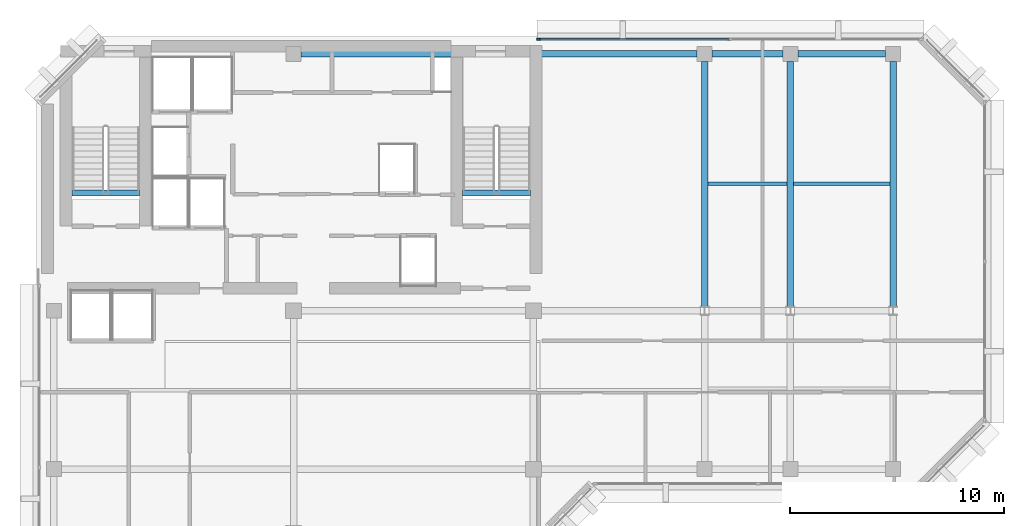
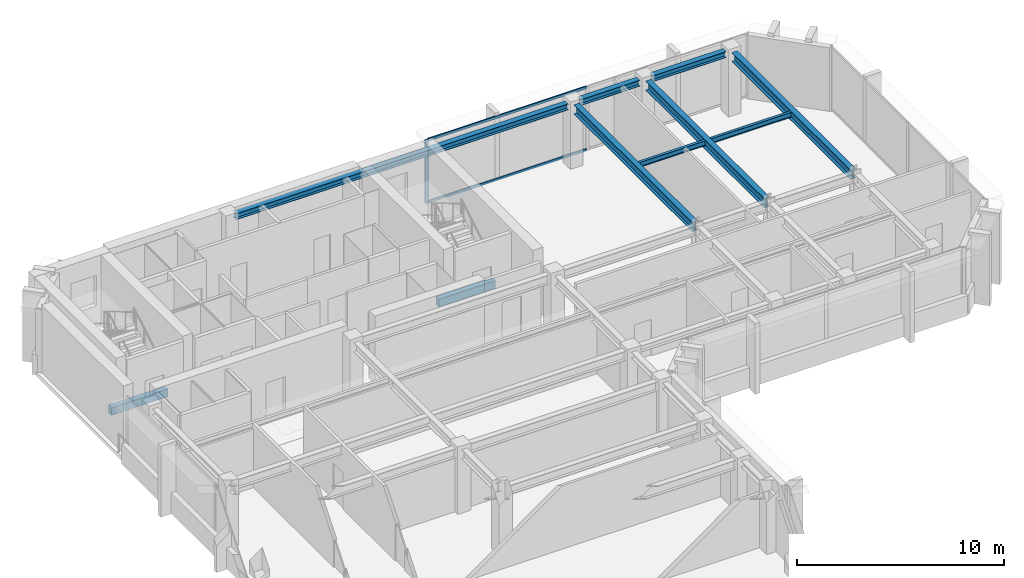
# One storey, part 4 of 11: 10 beams, 3 members, 1 element without a shape of its own.
"""IFC4 building model written with IfcOpenShell, lengths in metres."""

from ifc_helpers import new_model, si_unit, direction, frame, origin, origin_2d, place, context, subcontext, project, spatial, rectangle, i_section, extrude, material, layer, layer_set, material_profile, profile_set, type_object, element, aggregate, save


model = new_model("IFC4")

# Units and contexts
model_context = context("Model", 3, precision=1e-05, world=origin(), true_north=direction((0.0, 1.0)))
body_context = subcontext(model_context, "Body", "Model", "MODEL_VIEW")
ifc_project = project(units=[si_unit("LENGTHUNIT", "METRE"), si_unit("AREAUNIT", "SQUARE_METRE"), si_unit("VOLUMEUNIT", "CUBIC_METRE"), si_unit("PLANEANGLEUNIT", "RADIAN"), si_unit("MASSUNIT", "GRAM", prefix="KILO")], contexts=[model_context])

# Site, building, storey
site_placement = place(None, origin())
site = spatial("IfcSite", under=ifc_project, at=site_placement, CompositionType="ELEMENT")
building_placement = place(site_placement, origin())
building = spatial("IfcBuilding", under=site, at=building_placement, Name="Kefirva Bronze Tower", CompositionType="ELEMENT")
storey_placement = place(building_placement, frame((0.0, 0.0, 284.1298828125)))
storey = spatial("IfcBuildingStorey", under=building, at=storey_placement, Name="L69", CompositionType="ELEMENT", Elevation=284.1298828125)

# Curtain wall, members
ifc_material_1 = material(Name="Bronze anodised aluminium", Category="aluminium")
ifc_layer = layer(ifc_material_1, 0.179931640625, Name="Bronze anodised aluminium")
ifc_layer_set = layer_set([ifc_layer], Name="Bronze anodised aluminium")
curtain_wall_type = type_object("IfcCurtainWallType", Name="Unitised Bronze Ribbon Curtain Wall Zone 4", PredefinedType="USERDEFINED", material=ifc_layer_set)
curtain_wall_placement = place(storey_placement, origin())
curtain_wall = element("IfcCurtainWall", 1, at=curtain_wall_placement, inside=storey, type_object=curtain_wall_type, Name="L69 Curtain Wall 4", ObjectType="UNITISED CURTAIN WALL", PredefinedType="USERDEFINED")
ifc_material_profile_1 = material_profile(ifc_material_1, rectangle(XDim=0.074951171875, YDim=0.179931640625, at=origin_2d()), Name="ALU 75x180")
ifc_profile_set_1 = profile_set([ifc_material_profile_1], Name="Bronze anodised aluminium")
member_type_1 = type_object("IfcMemberType", Name="Bronze Mullion 75x180", PredefinedType="MULLION", material=ifc_profile_set_1)
member_1_placement = place(storey_placement, frame((23.4423828125, 45.8798828125, 0.0), z_axis=(0.0, 0.0, 1.0), x_axis=(0.0, -1.0, 0.0)))
member_1 = element("IfcMember", 2, at=member_1_placement, type_object=member_type_1, Name="CW-04 mullion 3", PredefinedType="MULLION", context=body_context, shape_type="SweptSolid", body=[
    extrude(rectangle(XDim=0.074951171875, YDim=0.179931640625, at=origin_2d()), origin(), (0.0, 0.0, 1.0), 3.740234375),
])
ifc_material_profile_2 = material_profile(ifc_material_1, rectangle(XDim=0.074951171875, YDim=0.14990234375, at=origin_2d()), Name="ALU 75x150")
ifc_profile_set_2 = profile_set([ifc_material_profile_2], Name="Bronze anodised aluminium")
member_type_2 = type_object("IfcMemberType", Name="Bronze Transom 75x150", PredefinedType="USERDEFINED", material=ifc_profile_set_2)
member_2_placement = place(storey_placement, frame((32.33740234375, 45.8798828125, 0.03759765625), z_axis=(-1.0, 0.0, 0.0), x_axis=(0.0, -1.0, 0.0)))
member_2 = element("IfcMember", 3, at=member_2_placement, type_object=member_type_2, Name="CW-04 transom 2.1", ObjectType="TRANSOM", PredefinedType="USERDEFINED", context=body_context, shape_type="SweptSolid", body=[
    extrude(rectangle(XDim=0.074951171875, YDim=0.14990234375, at=origin_2d()), origin(), (0.0, 0.0, 1.0), 8.857421875),
])
member_3_placement = place(storey_placement, frame((32.33740234375, 45.8798828125, 3.70263671875), z_axis=(-1.0, 0.0, 0.0), x_axis=(0.0, -1.0, 0.0)))
member_3 = element("IfcMember", 4, at=member_3_placement, type_object=member_type_2, Name="CW-04 transom 2.2", ObjectType="TRANSOM", PredefinedType="USERDEFINED", context=body_context, shape_type="SweptSolid", body=[
    extrude(rectangle(XDim=0.074951171875, YDim=0.14990234375, at=origin_2d()), origin(), (0.0, 0.0, 1.0), 8.857421875),
])
aggregate(curtain_wall, [member_1, member_2, member_3])

# Beams
ifc_material_2 = material(Name="Concrete C50/60", Category="concrete")
ifc_material_profile_3 = material_profile(ifc_material_2, rectangle(XDim=0.300048828125, YDim=0.449951171875, at=origin_2d()), Name="RC 300x450")
ifc_profile_set_3 = profile_set([ifc_material_profile_3], Name="Concrete C50/60")
beam_type_1 = type_object("IfcBeamType", Name="RC Stair Trimmer Beam 300x450", PredefinedType="BEAM", material=ifc_profile_set_3)
beam_1_placement = place(storey_placement, frame((1.64501953125, 38.699951171875, -0.224853515625), z_axis=(1.0, 0.0, 0.0), x_axis=(0.0, 1.0, 0.0)))
element("IfcBeam", 5, at=beam_1_placement, inside=storey, type_object=beam_type_1, Name="L69 Stair 1 Landing Trimmer Beam", PredefinedType="BEAM", context=body_context, shape_type="SweptSolid", body=[
    extrude(rectangle(XDim=0.300048828125, YDim=0.449951171875, at=origin_2d()), origin(), (0.0, 0.0, 1.0), 3.14990234375),
])
beam_2_placement = place(storey_placement, frame((19.89501953125, 38.699951171875, -0.224853515625), z_axis=(1.0, 0.0, 0.0), x_axis=(0.0, 1.0, 0.0)))
element("IfcBeam", 6, at=beam_2_placement, inside=storey, type_object=beam_type_1, Name="L69 Stair 2 Landing Trimmer Beam", PredefinedType="BEAM", context=body_context, shape_type="SweptSolid", body=[
    extrude(rectangle(XDim=0.300048828125, YDim=0.449951171875, at=origin_2d()), origin(), (0.0, 0.0, 1.0), 3.159912109375),
])
ifc_material_3 = material(Name="Steel S355", Category="steel")
ifc_material_profile_4 = material_profile(ifc_material_3, i_section(OverallWidth=0.14990234375, OverallDepth=0.300048828125, WebThickness=0.007080078125, FlangeThickness=0.0107421875, at=origin_2d()), Name="IPE 300")
ifc_profile_set_4 = profile_set([ifc_material_profile_4], Name="Steel S355")
beam_type_2 = type_object("IfcBeamType", Name="Steel Floor Joist IPE 300", PredefinedType="JOIST", material=ifc_profile_set_4)
beam_3_placement = place(storey_placement, frame((31.35009765625, 39.12890625, 3.590087890625), z_axis=(1.0, 0.0, 0.0), x_axis=(0.0, 1.0, 0.0)))
element("IfcBeam", 7, at=beam_3_placement, inside=storey, type_object=beam_type_2, Name="L69 JST-L69-31-391", PredefinedType="JOIST", context=body_context, shape_type="SweptSolid", body=[
    extrude(i_section(OverallWidth=0.14990234375, OverallDepth=0.300048828125, WebThickness=0.007080078125, FlangeThickness=0.0107421875, at=origin_2d()), origin(), (0.0, 0.0, 1.0), 3.699951171875),
])
beam_4_placement = place(storey_placement, frame((35.35009765625, 39.12890625, 3.590087890625), z_axis=(1.0, 0.0, 0.0), x_axis=(0.0, 1.0, 0.0)))
element("IfcBeam", 8, at=beam_4_placement, inside=storey, type_object=beam_type_2, Name="L69 JST-L69-35-391", PredefinedType="JOIST", context=body_context, shape_type="SweptSolid", body=[
    extrude(i_section(OverallWidth=0.14990234375, OverallDepth=0.300048828125, WebThickness=0.007080078125, FlangeThickness=0.0107421875, at=origin_2d()), origin(), (0.0, 0.0, 1.0), 4.5),
])
ifc_material_profile_5 = material_profile(ifc_material_3, i_section(OverallWidth=0.300048828125, OverallDepth=0.550048828125, WebThickness=0.014892578125, FlangeThickness=0.029052734375, at=origin_2d()), Name="HEB 550")
ifc_profile_set_5 = profile_set([ifc_material_profile_5], Name="Steel S355")
beam_type_3 = type_object("IfcBeamType", Name="Steel Girder HEB 550", PredefinedType="USERDEFINED", material=ifc_profile_set_5)
for number, where, z_axis, x_axis, name in (
    (9, (31.199951171875, 33.407958984375, 3.465087890625), (0.0, 1.0, 0.0), (-1.0, 0.0, 0.0), "L69 BM-L69-NS-312-33"),
    (10, (35.199951171875, 33.407958984375, 3.465087890625), (0.0, 1.0, 0.0), (-1.0, 0.0, 0.0), "L69 BM-L69-NS-352-33"),
    (11, (40.0, 33.407958984375, 3.465087890625), (0.0, 1.0, 0.0), (-1.0, 0.0, 0.0), "L69 BM-L69-NS-400-33"),
):
    element("IfcBeam", number, at=place(storey_placement, frame(where, z_axis=z_axis, x_axis=x_axis)), inside=storey, type_object=beam_type_3, Name=name, ObjectType="GIRDER", PredefinedType="USERDEFINED", context=body_context, shape_type="SweptSolid", body=[
        extrude(i_section(OverallWidth=0.300048828125, OverallDepth=0.550048828125, WebThickness=0.014892578125, FlangeThickness=0.029052734375, at=origin_2d()), origin(), (0.0, 0.0, 1.0), 11.442138671875),
    ])
ifc_material_profile_6 = material_profile(ifc_material_3, i_section(OverallWidth=0.300048828125, OverallDepth=0.360107421875, WebThickness=0.012451171875, FlangeThickness=0.0224609375, at=origin_2d()), Name="HEB 360")
ifc_profile_set_6 = profile_set([ifc_material_profile_6], Name="Steel S355")
beam_type_4 = type_object("IfcBeamType", Name="Steel Spandrel HEB 360 Ext", PredefinedType="SPANDREL", material=ifc_profile_set_6)
beam_5_placement = place(storey_placement, frame((12.35009765625, 45.199951171875, 3.56005859375), z_axis=(1.0, 0.0, 0.0), x_axis=(0.0, 1.0, 0.0)))
element("IfcBeam", 12, at=beam_5_placement, inside=storey, type_object=beam_type_4, Name="L69 BM-L69-EW-12-452", PredefinedType="SPANDREL", context=body_context, shape_type="SweptSolid", body=[
    extrude(i_section(OverallWidth=0.300048828125, OverallDepth=0.360107421875, WebThickness=0.012451171875, FlangeThickness=0.0224609375, at=origin_2d()), origin(), (0.0, 0.0, 1.0), 18.5),
])
beam_6_placement = place(storey_placement, frame((31.550048828125, 45.199951171875, 3.56005859375), z_axis=(1.0, 0.0, 0.0), x_axis=(0.0, 1.0, 0.0)))
element("IfcBeam", 13, at=beam_6_placement, inside=storey, type_object=beam_type_4, Name="L69 BM-L69-EW-31-452", PredefinedType="SPANDREL", context=body_context, shape_type="SweptSolid", body=[
    extrude(i_section(OverallWidth=0.300048828125, OverallDepth=0.360107421875, WebThickness=0.012451171875, FlangeThickness=0.0224609375, at=origin_2d()), origin(), (0.0, 0.0, 1.0), 3.300048828125),
])
beam_7_placement = place(storey_placement, frame((35.550048828125, 45.199951171875, 3.56005859375), z_axis=(1.0, 0.0, 0.0), x_axis=(0.0, 1.0, 0.0)))
element("IfcBeam", 14, at=beam_7_placement, inside=storey, type_object=beam_type_4, Name="L69 BM-L69-EW-35-452", PredefinedType="SPANDREL", context=body_context, shape_type="SweptSolid", body=[
    extrude(i_section(OverallWidth=0.300048828125, OverallDepth=0.360107421875, WebThickness=0.012451171875, FlangeThickness=0.0224609375, at=origin_2d()), origin(), (0.0, 0.0, 1.0), 4.099853515625),
])

save(model, "model.ifc")
